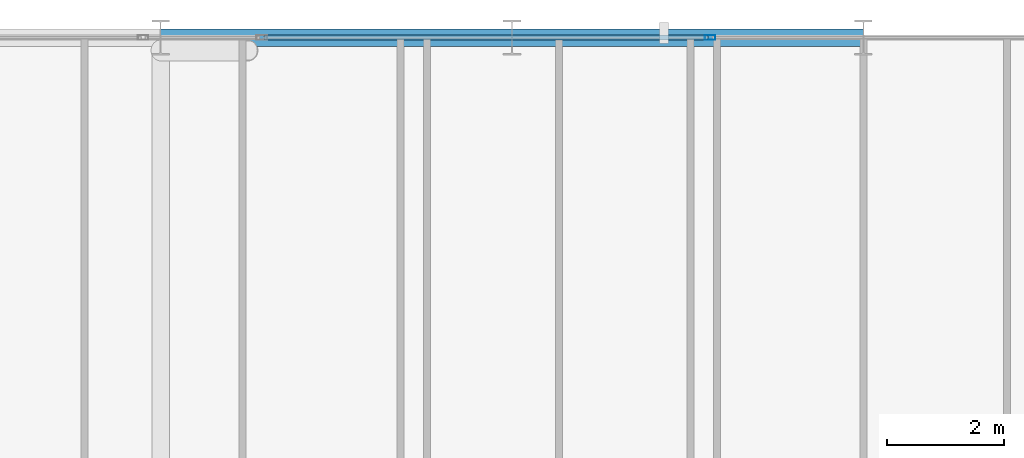
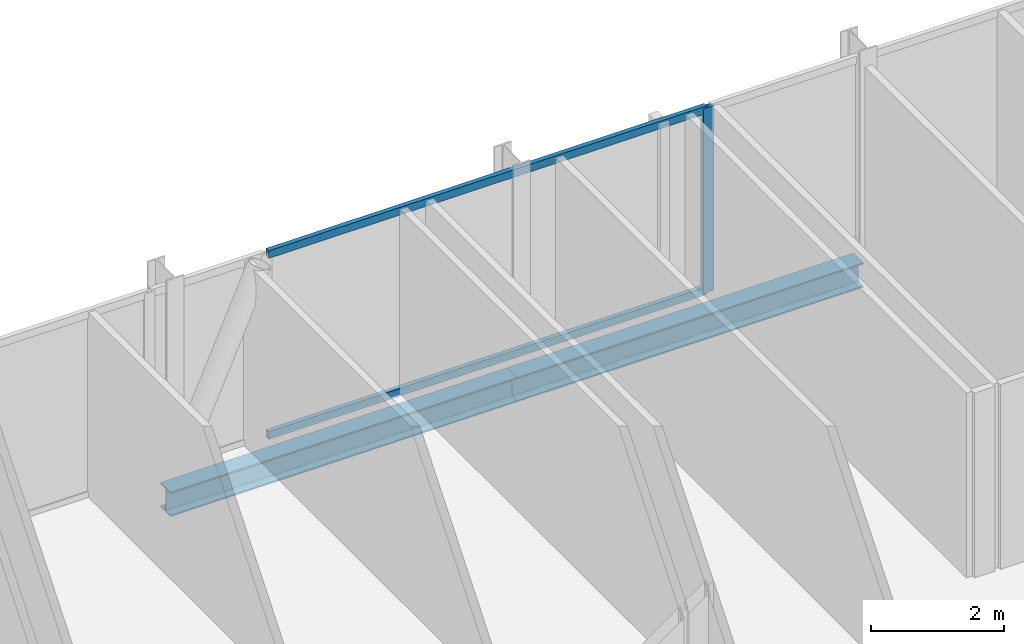
# One storey, part 19 of 29: 3 members, 2 beams, 1 element without a shape of its own.
"""IFC4 building model written with IfcOpenShell, lengths in metres."""

from ifc_helpers import new_model, si_unit, direction, frame, origin, origin_2d, place, context, subcontext, project, spatial, hollow_rectangle, i_section, extrude, material, layer, layer_set, material_profile, profile_set, type_object, element, aggregate, save


model = new_model("IFC4")

# Units and contexts
model_context = context("Model", 3, precision=1e-05, world=origin(), true_north=direction((0.0, 1.0)))
body_context = subcontext(model_context, "Body", "Model", "MODEL_VIEW")
ifc_project = project(units=[si_unit("LENGTHUNIT", "METRE"), si_unit("AREAUNIT", "SQUARE_METRE"), si_unit("VOLUMEUNIT", "CUBIC_METRE"), si_unit("PLANEANGLEUNIT", "RADIAN"), si_unit("MASSUNIT", "GRAM", prefix="KILO")], contexts=[model_context])

# Site, building, storey
site_placement = place(None, origin())
site = spatial("IfcSite", under=ifc_project, at=site_placement, CompositionType="ELEMENT")
building_placement = place(site_placement, origin())
building = spatial("IfcBuilding", under=site, at=building_placement, Name="Keshet Zoharim Tower", CompositionType="ELEMENT")
storey_placement = place(building_placement, frame((0.0, 0.0, 94.60009765625)))
storey = spatial("IfcBuildingStorey", under=building, at=storey_placement, Name="L22", CompositionType="ELEMENT", Elevation=94.60009765625)

# Beams
ifc_material_1 = material(Name="Steel S355", Category="steel")
ifc_material_profile_1 = material_profile(ifc_material_1, i_section(OverallWidth=0.300048828125, OverallDepth=0.449951171875, WebThickness=0.013916015625, FlangeThickness=0.02587890625, FilletRadius=0.027099609375, at=origin_2d()), Name="HEB450")
ifc_profile_set_1 = profile_set([ifc_material_profile_1], Name="Steel S355")
beam_type = type_object("IfcBeamType", Name="BM-WEB-HB450", PredefinedType="BEAM", material=ifc_profile_set_1)
for number, where, z_axis, x_axis, name in (
    (1, (33.0, 53.89990234375, -0.5400390625), (1.0, 0.0, 0.0), (0.0, 1.0, 0.0), "L22 Primary Girder X-021"),
    (2, (39.0, 53.89990234375, -0.5400390625), (1.0, 0.0, 0.0), (0.0, 1.0, 0.0), "L22 Primary Girder X-022"),
):
    element("IfcBeam", number, at=place(storey_placement, frame(where, z_axis=z_axis, x_axis=x_axis)), inside=storey, type_object=beam_type, Name=name, PredefinedType="BEAM", context=body_context, shape_type="SweptSolid", body=[
        extrude(i_section(OverallWidth=0.300048828125, OverallDepth=0.449951171875, WebThickness=0.013916015625, FlangeThickness=0.02587890625, FilletRadius=0.027099609375, at=origin_2d()), origin(), (0.0, 0.0, 1.0), 6.0),
    ])

# Curtain wall, members
ifc_material_2 = material(Name="Aluminium 6063-T6", Category="aluminium")
ifc_layer = layer(ifc_material_2, 0.159912109375)
ifc_layer_set = layer_set([ifc_layer], Name="Aluminium 6063-T6")
curtain_wall_type = type_object("IfcCurtainWallType", Name="CW-SYS-03", PredefinedType="NOTDEFINED", material=ifc_layer_set)
curtain_wall_placement = place(storey_placement, origin())
curtain_wall = element("IfcCurtainWall", 3, at=curtain_wall_placement, inside=storey, type_object=curtain_wall_type, Name="L22 Unitised Curtain Wall 13 Part 5", PredefinedType="NOTDEFINED")
ifc_material_profile_2 = material_profile(ifc_material_2, hollow_rectangle(XDim=0.080078125, YDim=0.179931640625, WallThickness=0.00439453125, at=origin_2d()), Name="MUL-80x180")
ifc_profile_set_2 = profile_set([ifc_material_profile_2], Name="Aluminium 6063-T6")
member_type_1 = type_object("IfcMemberType", Name="CWM-M18", PredefinedType="MULLION", material=ifc_profile_set_2)
member_1_placement = place(storey_placement, frame((42.38134765625, 53.89990234375, 0.0), z_axis=(0.0, 0.0, 1.0), x_axis=(0.0, 1.0, 0.0)))
member_1 = element("IfcMember", 4, at=member_1_placement, type_object=member_type_1, Name="CW-03 mullion 2", PredefinedType="MULLION", context=body_context, shape_type="SweptSolid", body=[
    extrude(hollow_rectangle(XDim=0.080078125, YDim=0.179931640625, WallThickness=0.00439453125, at=origin_2d()), origin(), (0.0, 0.0, 1.0), 3.385009765625),
])
ifc_material_profile_3 = material_profile(ifc_material_2, hollow_rectangle(XDim=0.080078125, YDim=0.139892578125, WallThickness=0.00390625, at=origin_2d()), Name="TRN-80x140")
ifc_profile_set_3 = profile_set([ifc_material_profile_3], Name="Aluminium 6063-T6")
member_type_2 = type_object("IfcMemberType", Name="CWT-T14", PredefinedType="USERDEFINED", material=ifc_profile_set_3)
member_2_placement = place(storey_placement, frame((34.7626953125, 53.89990234375, 0.034912109375), z_axis=(1.0, 0.0, 0.0), x_axis=(0.0, 1.0, 0.0)))
member_2 = element("IfcMember", 5, at=member_2_placement, type_object=member_type_2, Name="CW-03 transom 1.1", ObjectType="TRANSOM", PredefinedType="USERDEFINED", context=body_context, shape_type="SweptSolid", body=[
    extrude(hollow_rectangle(XDim=0.080078125, YDim=0.139892578125, WallThickness=0.00390625, at=origin_2d()), origin(), (0.0, 0.0, 1.0), 7.58349609375),
])
member_3_placement = place(storey_placement, frame((34.7626953125, 53.89990234375, 3.349853515625), z_axis=(1.0, 0.0, 0.0), x_axis=(0.0, 1.0, 0.0)))
member_3 = element("IfcMember", 6, at=member_3_placement, type_object=member_type_2, Name="CW-03 transom 1.2", ObjectType="TRANSOM", PredefinedType="USERDEFINED", context=body_context, shape_type="SweptSolid", body=[
    extrude(hollow_rectangle(XDim=0.080078125, YDim=0.139892578125, WallThickness=0.00390625, at=origin_2d()), origin(), (0.0, 0.0, 1.0), 7.58349609375),
])
aggregate(curtain_wall, [member_1, member_2, member_3])

save(model, "model.ifc")
